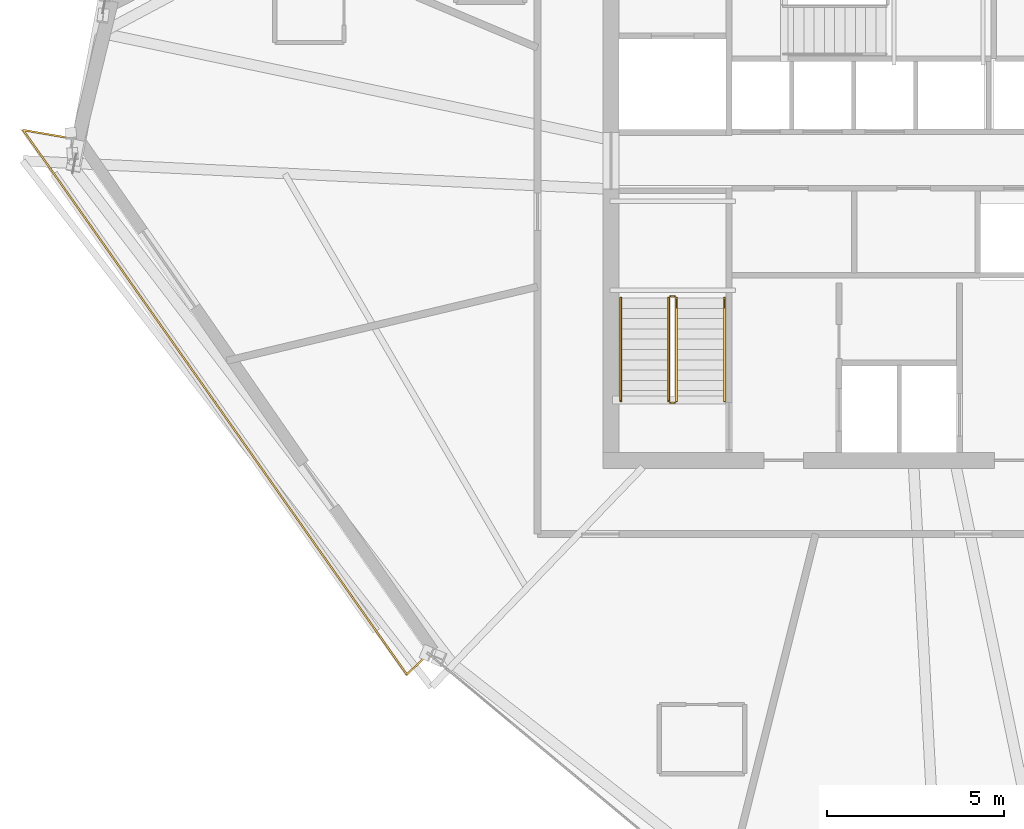
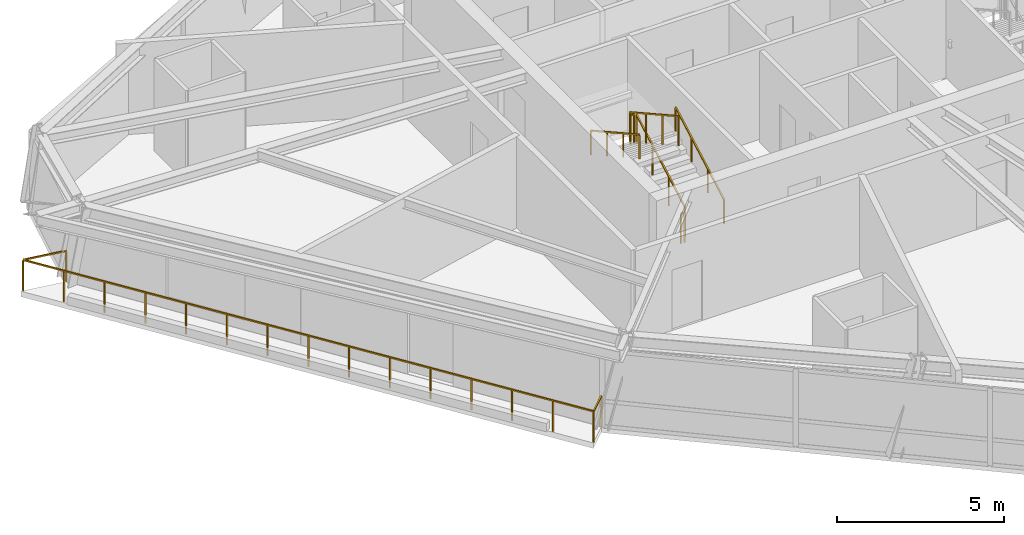
# One storey, part 12 of 14: 7 railings.
"""IFC4 building model written with IfcOpenShell, lengths in metres."""

import ifcopenshell
import ifcopenshell.guid

model = None  # the IFC model being written
_history = None  # IfcOwnerHistory: only IFC2X3 demands one
_inside = {}  # id of a spatial element -> (the spatial element, [elements in it])
_under = {}  # id of a project, library or spatial element -> (it, [spatial elements below it])
_declared = {}  # id of a project -> (the project, [libraries it declares])
_typed = {}  # id of a type object -> (the type object, [elements of that type])
_made_of = {}  # id of a material, layer set ... -> (it, [elements and type objects made of it])


def new_model(schema):
    """Start an empty IFC model of exactly this schema.

    Asked for "IFC4X3", IfcOpenShell would pick the latest addendum, in which some entities
    have other attributes; the version numbers below select the first issue.
    IFC2X3 requires an IfcOwnerHistory on every rooted entity: one is made here for all.
    """
    global model, _history
    if schema == "IFC4X3":
        model = ifcopenshell.file(schema_version=(4, 3, 0, 0))
    else:
        model = ifcopenshell.file(schema=schema)
    _inside.clear()
    _under.clear()
    _declared.clear()
    _typed.clear()
    _made_of.clear()
    _history = None
    if model.schema == "IFC2X3":
        org = make("IfcOrganization", Name="unknown")
        user = make(
            "IfcPersonAndOrganization",
            ThePerson=make("IfcPerson", FamilyName="unknown"),
            TheOrganization=org,
        )
        app = make(
            "IfcApplication",
            ApplicationDeveloper=org,
            Version="unknown",
            ApplicationFullName="unknown",
            ApplicationIdentifier="unknown",
        )
        _history = make(
            "IfcOwnerHistory",
            OwningUser=user,
            OwningApplication=app,
            ChangeAction="ADDED",
            CreationDate=0,
        )
    return model


def make(cls, **values):
    """One entity of the class cls with the attributes given. An attribute that is None is left unset."""
    return model.create_entity(
        cls, **{name: value for name, value in values.items() if value is not None}
    )


def rooted(cls, **values):
    """An entity with a GlobalId (a new one), such as an element, a storey or a relation."""
    return make(cls, GlobalId=ifcopenshell.guid.new(), OwnerHistory=_history, **values)


def si_unit(unit_type, name, prefix=None):
    """IfcSIUnit, for example si_unit("LENGTHUNIT", "METRE", prefix="MILLI")."""
    return make("IfcSIUnit", UnitType=unit_type, Prefix=prefix, Name=name)


def assignment(units):
    """IfcUnitAssignment: the units of a project."""
    return None if units is None else make("IfcUnitAssignment", Units=units)


def point(xyz):
    """IfcCartesianPoint."""
    return None if xyz is None else make("IfcCartesianPoint", Coordinates=xyz)


def direction(xyz):
    """IfcDirection."""
    return None if xyz is None else make("IfcDirection", DirectionRatios=xyz)


def frame(location, z_axis=None, x_axis=None):
    """IfcAxis2Placement3D, a coordinate frame: its origin and axes. An axis left out is left unset."""
    return make(
        "IfcAxis2Placement3D",
        Location=point(location),
        Axis=direction(z_axis),
        RefDirection=direction(x_axis),
    )


def frame_2d(location, x_axis=None):
    """IfcAxis2Placement2D, a coordinate frame in the plane: its origin and x axis."""
    return make(
        "IfcAxis2Placement2D", Location=point(location), RefDirection=direction(x_axis)
    )


def origin():
    """The frame at (0, 0, 0) with its axes left unset."""
    return frame((0.0, 0.0, 0.0))


def origin_2d():
    """The frame at (0, 0) in the plane with its x axis left unset."""
    return frame_2d((0.0, 0.0))


def place(relative_to, where):
    """IfcLocalPlacement: puts the frame where relative to a parent placement (None: the world)."""
    return make(
        "IfcLocalPlacement", PlacementRelTo=relative_to, RelativePlacement=where
    )


def context(
    kind, dimensions, precision=None, world=None, true_north=None, identifier=None
):
    """IfcGeometricRepresentationContext, for example the 3D "Model" context."""
    return make(
        "IfcGeometricRepresentationContext",
        ContextIdentifier=identifier,
        ContextType=kind,
        CoordinateSpaceDimension=dimensions,
        Precision=precision,
        WorldCoordinateSystem=world,
        TrueNorth=true_north,
    )


def subcontext(parent, identifier, kind, view, scale=None):
    """IfcGeometricRepresentationSubContext, for example "Body" below "Model"."""
    return make(
        "IfcGeometricRepresentationSubContext",
        ContextIdentifier=identifier,
        ContextType=kind,
        ParentContext=parent,
        TargetScale=scale,
        TargetView=view,
    )


def project(units=None, contexts=None):
    """IfcProject with its units and contexts."""
    return rooted(
        "IfcProject",
        Name="project",
        RepresentationContexts=contexts,
        UnitsInContext=assignment(units),
    )


def spatial(cls, under=None, at=None, **own):
    """A site, building, storey or space (cls), placed at a placement, below another one or the project."""
    s = rooted(cls, ObjectPlacement=at, **own)
    if under is not None:
        _under.setdefault(under.id(), (under, []))[1].append(s)
    return s


def profile(cls, at=None, kind="AREA", **sizes):
    """A parametric profile (cls). Its sizes go by their IFC names, for example OverallWidth=200.0."""
    return make(cls, ProfileType=kind, Position=at, **sizes)


def rectangle(**sizes):
    """IfcRectangleProfileDef."""
    return profile("IfcRectangleProfileDef", **sizes)


def extrude(swept, where, along, depth):
    """IfcExtrudedAreaSolid: the profile swept, set in the frame where, extruded along a direction by depth."""
    return make(
        "IfcExtrudedAreaSolid",
        SweptArea=swept,
        Position=where,
        ExtrudedDirection=direction(along),
        Depth=depth,
    )


def shape(context_of_items, identifier, shape_type, items):
    """IfcShapeRepresentation: the items that make up one representation, for example the "Body"."""
    return make(
        "IfcShapeRepresentation",
        ContextOfItems=context_of_items,
        RepresentationIdentifier=identifier,
        RepresentationType=shape_type,
        Items=items,
    )


def material(Name=None, Category=None):
    """IfcMaterial."""
    return make("IfcMaterial", Name=Name, Category=Category)


def made_of(thing, what):
    """Note that an element or type object is made of a material, layer set ...; save() writes the relation."""
    if what is not None:
        _made_of.setdefault(what.id(), (what, []))[1].append(thing)
    return thing


def type_object(cls, material=None, **own):
    """A type object (cls), such as IfcWallType, which elements share."""
    return made_of(rooted(cls, **own), material)


def element(
    cls,
    number,
    at=None,
    inside=None,
    cuts=None,
    type_object=None,
    material=None,
    context=None,
    identifier="Body",
    shape_type=None,
    held_by="IfcProductDefinitionShape",
    body=None,
    shapes=None,
    **own,
):
    """One element of the class cls, such as IfcWall. Its Tag is "e" and its number.

    at: its placement. inside: the storey or other place that contains it. cuts: it is an
    opening in that element (IfcRelVoidsElement). A single representation is given by context,
    identifier, shape_type and body (its items); several are given by shapes. held_by: the class
    of the entity that holds the representations. save() writes the other relations.
    """
    e = rooted(cls, Tag="e%d" % number, ObjectPlacement=at, **own)
    if body is not None:
        shapes = [shape(context, identifier, shape_type, body)]
    if shapes is not None:
        e.Representation = make(held_by, Representations=shapes)
    if inside is not None:
        _inside.setdefault(inside.id(), (inside, []))[1].append(e)
    if cuts is not None:
        rooted(
            "IfcRelVoidsElement", RelatingBuildingElement=cuts, RelatedOpeningElement=e
        )
    if type_object is not None:
        _typed.setdefault(type_object.id(), (type_object, []))[1].append(e)
    return made_of(e, material)


def aggregate(whole, parts):
    """IfcRelAggregates: a whole, such as a stair, and the parts it consists of."""
    return rooted("IfcRelAggregates", RelatingObject=whole, RelatedObjects=parts)


def save(model, path):
    """Write the relations noted so far, then the file.

    IfcRelAggregates (storeys below a building ...), IfcRelContainedInSpatialStructure (elements
    in a storey), IfcRelDefinesByType, IfcRelAssociatesMaterial and IfcRelDeclares: one each for
    every whole, place, type object, material and project.
    """
    for whole, parts in _under.values():
        aggregate(whole, parts)
    for where, things in _inside.values():
        rooted(
            "IfcRelContainedInSpatialStructure",
            RelatedElements=things,
            RelatingStructure=where,
        )
    for kind, things in _typed.values():
        rooted("IfcRelDefinesByType", RelatedObjects=things, RelatingType=kind)
    for what, things in _made_of.values():
        rooted("IfcRelAssociatesMaterial", RelatedObjects=things, RelatingMaterial=what)
    for by, libraries in _declared.values():
        rooted("IfcRelDeclares", RelatingContext=by, RelatedDefinitions=libraries)
    model.write(path)


model = new_model("IFC4")

# Units and contexts
model_context = context("Model", 3, precision=1e-05, world=origin(), true_north=direction((0.0, 1.0)))
body_context = subcontext(model_context, "Body", "Model", "MODEL_VIEW")
ifc_project = project(units=[si_unit("LENGTHUNIT", "METRE"), si_unit("AREAUNIT", "SQUARE_METRE"), si_unit("VOLUMEUNIT", "CUBIC_METRE"), si_unit("PLANEANGLEUNIT", "RADIAN"), si_unit("MASSUNIT", "GRAM", prefix="KILO")], contexts=[model_context])

# Site, building, storey
site_placement = place(None, origin())
site = spatial("IfcSite", under=ifc_project, at=site_placement, CompositionType="ELEMENT")
building_placement = place(site_placement, origin())
building = spatial("IfcBuilding", under=site, at=building_placement, Name="Olszyna Solenne Hotel", CompositionType="ELEMENT")
storey_placement = place(building_placement, frame((0.0, 0.0, 220.25)))
storey = spatial("IfcBuildingStorey", under=building, at=storey_placement, Name="L58", CompositionType="ELEMENT", Elevation=220.25)

# Railings
ifc_material_1 = material(Name="Anodised bronze aluminium", Category="aluminium")
railing_type_1 = type_object("IfcRailingType", Name="GR-110", PredefinedType="BALUSTRADE", material=ifc_material_1)
railing_1_placement = place(storey_placement, frame((14.657958984375, 28.3544921875, 0.0)))
element("IfcRailing", 1, at=railing_1_placement, inside=storey, type_object=railing_type_1, Name="Loggia balcony balustrade guard GR-L58-LG2", PredefinedType="BALUSTRADE", context=body_context, shape_type="SweptSolid", body=[
    extrude(rectangle(XDim=0.048095703125, YDim=0.048095703125, at=origin_2d()), frame((0.0, 0.0, 1.1259765625), z_axis=(-0.985607933021, 0.16904733765, 0.0), x_axis=(-0.16904733765, -0.985607933021, 0.0)), (0.0, 0.0, 1.0), 1.379150390625),
    extrude(rectangle(XDim=0.048095703125, YDim=0.048095703125, at=origin_2d()), frame((-1.359375, 0.233154296875, 1.1259765625), z_axis=(0.576051249869, -0.817413578016, 0.0), x_axis=(0.817413578016, 0.576051249869, 0.0)), (0.0, 0.0, 1.0), 18.78271484375),
    extrude(rectangle(XDim=0.048095703125, YDim=0.048095703125, at=origin_2d()), frame((9.46044921875, -15.1201171875, 1.1259765625), z_axis=(0.717847936231, 0.696199928504, 0.0), x_axis=(-0.696199928504, 0.717847936231, 0.0)), (0.0, 0.0, 1.0), 0.845947265625),
    extrude(rectangle(XDim=0.0419921875, YDim=0.0419921875, at=origin_2d()), origin(), (0.0, 0.0, 1.0), 1.101806640625),
    extrude(rectangle(XDim=0.0419921875, YDim=0.0419921875, at=origin_2d()), frame((-1.359375, 0.233154296875, 0.0)), (0.0, 0.0, 1.0), 1.101806640625),
    extrude(rectangle(XDim=0.0419921875, YDim=0.0419921875, at=origin_2d()), frame((-0.58642578125, -0.863525390625, 0.0)), (0.0, 0.0, 1.0), 1.101806640625),
    extrude(rectangle(XDim=0.0419921875, YDim=0.0419921875, at=origin_2d()), frame((0.186279296875, -1.960205078125, 0.0)), (0.0, 0.0, 1.0), 1.101806640625),
    extrude(rectangle(XDim=0.0419921875, YDim=0.0419921875, at=origin_2d()), frame((0.959228515625, -3.056884765625, 0.0)), (0.0, 0.0, 1.0), 1.101806640625),
    extrude(rectangle(XDim=0.0419921875, YDim=0.0419921875, at=origin_2d()), frame((1.73193359375, -4.153564453125, 0.0)), (0.0, 0.0, 1.0), 1.101806640625),
    extrude(rectangle(XDim=0.0419921875, YDim=0.0419921875, at=origin_2d()), frame((2.5048828125, -5.250244140625, 0.0)), (0.0, 0.0, 1.0), 1.101806640625),
    extrude(rectangle(XDim=0.0419921875, YDim=0.0419921875, at=origin_2d()), frame((3.277587890625, -6.346923828125, 0.0)), (0.0, 0.0, 1.0), 1.101806640625),
    extrude(rectangle(XDim=0.0419921875, YDim=0.0419921875, at=origin_2d()), frame((4.050537109375, -7.443359375, 0.0)), (0.0, 0.0, 1.0), 1.101806640625),
    extrude(rectangle(XDim=0.0419921875, YDim=0.0419921875, at=origin_2d()), frame((4.823486328125, -8.5400390625, 0.0)), (0.0, 0.0, 1.0), 1.101806640625),
    extrude(rectangle(XDim=0.0419921875, YDim=0.0419921875, at=origin_2d()), frame((5.59619140625, -9.63671875, 0.0)), (0.0, 0.0, 1.0), 1.101806640625),
    extrude(rectangle(XDim=0.0419921875, YDim=0.0419921875, at=origin_2d()), frame((6.369140625, -10.7333984375, 0.0)), (0.0, 0.0, 1.0), 1.101806640625),
    extrude(rectangle(XDim=0.0419921875, YDim=0.0419921875, at=origin_2d()), frame((7.141845703125, -11.830078125, 0.0)), (0.0, 0.0, 1.0), 1.101806640625),
    extrude(rectangle(XDim=0.0419921875, YDim=0.0419921875, at=origin_2d()), frame((7.914794921875, -12.9267578125, 0.0)), (0.0, 0.0, 1.0), 1.101806640625),
    extrude(rectangle(XDim=0.0419921875, YDim=0.0419921875, at=origin_2d()), frame((8.6875, -14.0234375, 0.0)), (0.0, 0.0, 1.0), 1.101806640625),
    extrude(rectangle(XDim=0.0419921875, YDim=0.0419921875, at=origin_2d()), frame((9.46044921875, -15.1201171875, 0.0)), (0.0, 0.0, 1.0), 1.101806640625),
    extrude(rectangle(XDim=0.0419921875, YDim=0.0419921875, at=origin_2d()), frame((10.067626953125, -14.53125, 0.0)), (0.0, 0.0, 1.0), 1.101806640625),
])
railing_2_placement = place(storey_placement, frame((31.719970703125, 20.949951171875, 0.161376953125)))
element("IfcRailing", 2, at=railing_2_placement, inside=storey, type_object=railing_type_1, Name="L58 ST1 stair guard 1", PredefinedType="BALUSTRADE", context=body_context, shape_type="SweptSolid", body=[
    extrude(rectangle(XDim=0.048095703125, YDim=0.048095703125, at=origin_2d()), frame((0.0, 0.0, 1.076171875), z_axis=(0.0, 0.873858693841, 0.486179990537), x_axis=(-1.0, 0.0, 0.0)), (0.0, 0.0, 1.0), 3.31884765625),
    extrude(rectangle(XDim=0.0419921875, YDim=0.0419921875, at=origin_2d()), origin(), (0.0, 0.0, 1.0), 1.052001953125),
    extrude(rectangle(XDim=0.0419921875, YDim=0.0419921875, at=origin_2d()), frame((0.0, 0.966796875, 0.537841796875)), (0.0, 0.0, 1.0), 1.052001953125),
    extrude(rectangle(XDim=0.0419921875, YDim=0.0419921875, at=origin_2d()), frame((0.0, 1.933349609375, 1.07568359375)), (0.0, 0.0, 1.0), 1.052001953125),
    extrude(rectangle(XDim=0.0419921875, YDim=0.0419921875, at=origin_2d()), frame((0.0, 2.900146484375, 1.613525390625)), (0.0, 0.0, 1.0), 1.052001953125),
])
railing_3_placement = place(storey_placement, frame((31.669921875, 23.89990234375, 1.77490234375)))
element("IfcRailing", 3, at=railing_3_placement, inside=storey, type_object=railing_type_1, Name="L58 ST1 stair guard 2", PredefinedType="BALUSTRADE", context=body_context, shape_type="SweptSolid", body=[
    extrude(rectangle(XDim=0.048095703125, YDim=0.048095703125, at=origin_2d()), frame((0.0, 0.0, 1.076171875), z_axis=(-1.0, 0.0, 0.0), x_axis=(0.0, -1.0, 0.0)), (0.0, 0.0, 1.0), 0.119873046875),
    extrude(rectangle(XDim=0.0419921875, YDim=0.0419921875, at=origin_2d()), origin(), (0.0, 0.0, 1.0), 1.052001953125),
    extrude(rectangle(XDim=0.0419921875, YDim=0.0419921875, at=origin_2d()), frame((-0.119873046875, 0.0, 0.0)), (0.0, 0.0, 1.0), 1.052001953125),
])
railing_4_placement = place(storey_placement, frame((31.5, 23.85009765625, 1.936279296875)))
element("IfcRailing", 4, at=railing_4_placement, inside=storey, type_object=railing_type_1, Name="L58 ST1 stair guard 3", PredefinedType="BALUSTRADE", context=body_context, shape_type="SweptSolid", body=[
    extrude(rectangle(XDim=0.048095703125, YDim=0.048095703125, at=origin_2d()), frame((0.0, 0.0, 1.076171875), z_axis=(0.0, -0.873827439584, 0.48623616261), x_axis=(1.0, 0.0, 0.0)), (0.0, 0.0, 1.0), 3.31884765625),
    extrude(rectangle(XDim=0.0419921875, YDim=0.0419921875, at=origin_2d()), origin(), (0.0, 0.0, 1.0), 1.052001953125),
    extrude(rectangle(XDim=0.0419921875, YDim=0.0419921875, at=origin_2d()), frame((0.0, -0.966796875, 0.537841796875)), (0.0, 0.0, 1.0), 1.052001953125),
    extrude(rectangle(XDim=0.0419921875, YDim=0.0419921875, at=origin_2d()), frame((0.0, -1.933349609375, 1.075927734375)), (0.0, 0.0, 1.0), 1.052001953125),
    extrude(rectangle(XDim=0.0419921875, YDim=0.0419921875, at=origin_2d()), frame((0.0, -2.900146484375, 1.61376953125)), (0.0, 0.0, 1.0), 1.052001953125),
])
railing_5_placement = place(storey_placement, frame((31.669921875, 20.89990234375, 0.0)))
element("IfcRailing", 5, at=railing_5_placement, inside=storey, type_object=railing_type_1, Name="L58 ST1 stair guard 4", PredefinedType="BALUSTRADE", context=body_context, shape_type="SweptSolid", body=[
    extrude(rectangle(XDim=0.048095703125, YDim=0.048095703125, at=origin_2d()), frame((0.0, 0.0, 1.076171875), z_axis=(-1.0, 0.0, 0.0), x_axis=(0.0, -1.0, 0.0)), (0.0, 0.0, 1.0), 0.119873046875),
    extrude(rectangle(XDim=0.0419921875, YDim=0.0419921875, at=origin_2d()), origin(), (0.0, 0.0, 1.0), 1.052001953125),
    extrude(rectangle(XDim=0.0419921875, YDim=0.0419921875, at=origin_2d()), frame((-0.119873046875, 0.0, 0.0)), (0.0, 0.0, 1.0), 1.052001953125),
])
ifc_material_2 = material(Name="Steel S355J2", Category="steel")
railing_type_2 = type_object("IfcRailingType", Name="HR-090", PredefinedType="HANDRAIL", material=ifc_material_2)
railing_6_placement = place(storey_placement, frame((33.070068359375, 20.949951171875, 0.161376953125)))
element("IfcRailing", 6, at=railing_6_placement, inside=storey, type_object=railing_type_2, Name="L58 ST1 stair handrail 1", PredefinedType="HANDRAIL", context=body_context, shape_type="SweptSolid", body=[
    extrude(rectangle(XDim=0.048095703125, YDim=0.048095703125, at=origin_2d()), frame((0.0, 0.0, 0.8759765625), z_axis=(0.0, 0.873858693841, 0.486179990537), x_axis=(-1.0, 0.0, 0.0)), (0.0, 0.0, 1.0), 3.31884765625),
    extrude(rectangle(XDim=0.0419921875, YDim=0.0419921875, at=origin_2d()), origin(), (0.0, 0.0, 1.0), 0.851806640625),
    extrude(rectangle(XDim=0.0419921875, YDim=0.0419921875, at=origin_2d()), frame((0.0, 0.966796875, 0.537841796875)), (0.0, 0.0, 1.0), 0.851806640625),
    extrude(rectangle(XDim=0.0419921875, YDim=0.0419921875, at=origin_2d()), frame((0.0, 1.933349609375, 1.07568359375)), (0.0, 0.0, 1.0), 0.851806640625),
    extrude(rectangle(XDim=0.0419921875, YDim=0.0419921875, at=origin_2d()), frame((0.0, 2.900146484375, 1.613525390625)), (0.0, 0.0, 1.0), 0.851806640625),
])
railing_7_placement = place(storey_placement, frame((30.14990234375, 23.85009765625, 1.936279296875)))
element("IfcRailing", 7, at=railing_7_placement, inside=storey, type_object=railing_type_2, Name="L58 ST1 stair handrail 2", PredefinedType="HANDRAIL", context=body_context, shape_type="SweptSolid", body=[
    extrude(rectangle(XDim=0.048095703125, YDim=0.048095703125, at=origin_2d()), frame((0.0, 0.0, 0.8759765625), z_axis=(0.0, -0.873827439584, 0.48623616261), x_axis=(1.0, 0.0, 0.0)), (0.0, 0.0, 1.0), 3.31884765625),
    extrude(rectangle(XDim=0.0419921875, YDim=0.0419921875, at=origin_2d()), origin(), (0.0, 0.0, 1.0), 0.851806640625),
    extrude(rectangle(XDim=0.0419921875, YDim=0.0419921875, at=origin_2d()), frame((0.0, -0.966796875, 0.537841796875)), (0.0, 0.0, 1.0), 0.851806640625),
    extrude(rectangle(XDim=0.0419921875, YDim=0.0419921875, at=origin_2d()), frame((0.0, -1.933349609375, 1.075927734375)), (0.0, 0.0, 1.0), 0.851806640625),
    extrude(rectangle(XDim=0.0419921875, YDim=0.0419921875, at=origin_2d()), frame((0.0, -2.900146484375, 1.61376953125)), (0.0, 0.0, 1.0), 0.851806640625),
])

save(model, "model.ifc")
